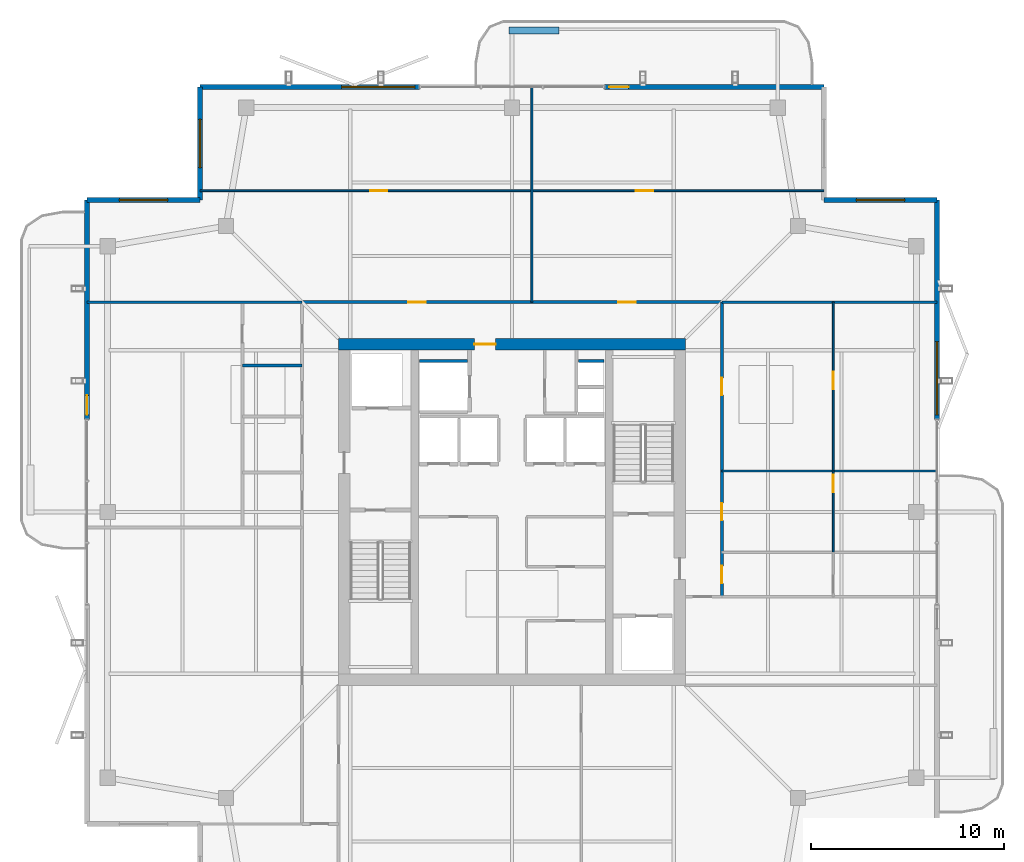
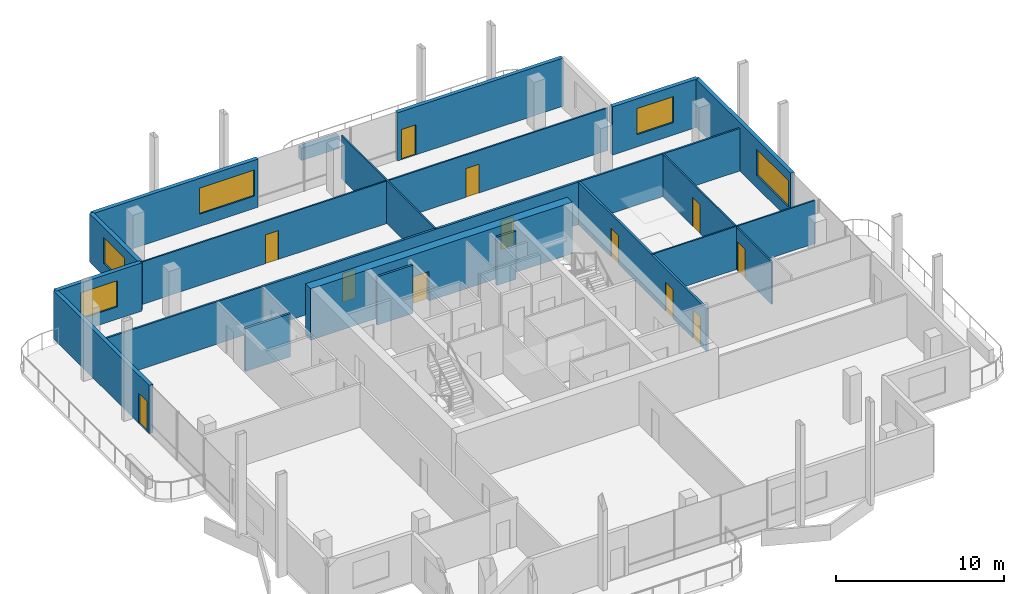
# One storey, part 18 of 22: 22 walls, 12 doors, 5 windows, 17 openings.
"""IFC4 building model written with IfcOpenShell, lengths in metres."""

import ifcopenshell
import ifcopenshell.guid

model = None  # the IFC model being written
_history = None  # IfcOwnerHistory: only IFC2X3 demands one
_inside = {}  # id of a spatial element -> (the spatial element, [elements in it])
_under = {}  # id of a project, library or spatial element -> (it, [spatial elements below it])
_declared = {}  # id of a project -> (the project, [libraries it declares])
_typed = {}  # id of a type object -> (the type object, [elements of that type])
_made_of = {}  # id of a material, layer set ... -> (it, [elements and type objects made of it])


def new_model(schema):
    """Start an empty IFC model of exactly this schema.

    Asked for "IFC4X3", IfcOpenShell would pick the latest addendum, in which some entities
    have other attributes; the version numbers below select the first issue.
    IFC2X3 requires an IfcOwnerHistory on every rooted entity: one is made here for all.
    """
    global model, _history
    if schema == "IFC4X3":
        model = ifcopenshell.file(schema_version=(4, 3, 0, 0))
    else:
        model = ifcopenshell.file(schema=schema)
    _inside.clear()
    _under.clear()
    _declared.clear()
    _typed.clear()
    _made_of.clear()
    _history = None
    if model.schema == "IFC2X3":
        org = make("IfcOrganization", Name="unknown")
        user = make(
            "IfcPersonAndOrganization",
            ThePerson=make("IfcPerson", FamilyName="unknown"),
            TheOrganization=org,
        )
        app = make(
            "IfcApplication",
            ApplicationDeveloper=org,
            Version="unknown",
            ApplicationFullName="unknown",
            ApplicationIdentifier="unknown",
        )
        _history = make(
            "IfcOwnerHistory",
            OwningUser=user,
            OwningApplication=app,
            ChangeAction="ADDED",
            CreationDate=0,
        )
    return model


def make(cls, **values):
    """One entity of the class cls with the attributes given. An attribute that is None is left unset."""
    return model.create_entity(
        cls, **{name: value for name, value in values.items() if value is not None}
    )


def rooted(cls, **values):
    """An entity with a GlobalId (a new one), such as an element, a storey or a relation."""
    return make(cls, GlobalId=ifcopenshell.guid.new(), OwnerHistory=_history, **values)


def si_unit(unit_type, name, prefix=None):
    """IfcSIUnit, for example si_unit("LENGTHUNIT", "METRE", prefix="MILLI")."""
    return make("IfcSIUnit", UnitType=unit_type, Prefix=prefix, Name=name)


def assignment(units):
    """IfcUnitAssignment: the units of a project."""
    return None if units is None else make("IfcUnitAssignment", Units=units)


def point(xyz):
    """IfcCartesianPoint."""
    return None if xyz is None else make("IfcCartesianPoint", Coordinates=xyz)


def direction(xyz):
    """IfcDirection."""
    return None if xyz is None else make("IfcDirection", DirectionRatios=xyz)


def frame(location, z_axis=None, x_axis=None):
    """IfcAxis2Placement3D, a coordinate frame: its origin and axes. An axis left out is left unset."""
    return make(
        "IfcAxis2Placement3D",
        Location=point(location),
        Axis=direction(z_axis),
        RefDirection=direction(x_axis),
    )


def frame_2d(location, x_axis=None):
    """IfcAxis2Placement2D, a coordinate frame in the plane: its origin and x axis."""
    return make(
        "IfcAxis2Placement2D", Location=point(location), RefDirection=direction(x_axis)
    )


def origin():
    """The frame at (0, 0, 0) with its axes left unset."""
    return frame((0.0, 0.0, 0.0))


def place(relative_to, where):
    """IfcLocalPlacement: puts the frame where relative to a parent placement (None: the world)."""
    return make(
        "IfcLocalPlacement", PlacementRelTo=relative_to, RelativePlacement=where
    )


def context(
    kind, dimensions, precision=None, world=None, true_north=None, identifier=None
):
    """IfcGeometricRepresentationContext, for example the 3D "Model" context."""
    return make(
        "IfcGeometricRepresentationContext",
        ContextIdentifier=identifier,
        ContextType=kind,
        CoordinateSpaceDimension=dimensions,
        Precision=precision,
        WorldCoordinateSystem=world,
        TrueNorth=true_north,
    )


def subcontext(parent, identifier, kind, view, scale=None):
    """IfcGeometricRepresentationSubContext, for example "Body" below "Model"."""
    return make(
        "IfcGeometricRepresentationSubContext",
        ContextIdentifier=identifier,
        ContextType=kind,
        ParentContext=parent,
        TargetScale=scale,
        TargetView=view,
    )


def project(units=None, contexts=None):
    """IfcProject with its units and contexts."""
    return rooted(
        "IfcProject",
        Name="project",
        RepresentationContexts=contexts,
        UnitsInContext=assignment(units),
    )


def spatial(cls, under=None, at=None, **own):
    """A site, building, storey or space (cls), placed at a placement, below another one or the project."""
    s = rooted(cls, ObjectPlacement=at, **own)
    if under is not None:
        _under.setdefault(under.id(), (under, []))[1].append(s)
    return s


def profile(cls, at=None, kind="AREA", **sizes):
    """A parametric profile (cls). Its sizes go by their IFC names, for example OverallWidth=200.0."""
    return make(cls, ProfileType=kind, Position=at, **sizes)


def rectangle(**sizes):
    """IfcRectangleProfileDef."""
    return profile("IfcRectangleProfileDef", **sizes)


def extrude(swept, where, along, depth):
    """IfcExtrudedAreaSolid: the profile swept, set in the frame where, extruded along a direction by depth."""
    return make(
        "IfcExtrudedAreaSolid",
        SweptArea=swept,
        Position=where,
        ExtrudedDirection=direction(along),
        Depth=depth,
    )


def shape(context_of_items, identifier, shape_type, items):
    """IfcShapeRepresentation: the items that make up one representation, for example the "Body"."""
    return make(
        "IfcShapeRepresentation",
        ContextOfItems=context_of_items,
        RepresentationIdentifier=identifier,
        RepresentationType=shape_type,
        Items=items,
    )


def material(Name=None, Category=None):
    """IfcMaterial."""
    return make("IfcMaterial", Name=Name, Category=Category)


def layer(
    of_material, thickness, ventilated=None, Name=None, Category=None, Priority=None
):
    """IfcMaterialLayer: one layer of a wall or slab, of a material (None: an air gap)."""
    return make(
        "IfcMaterialLayer",
        Material=of_material,
        LayerThickness=thickness,
        IsVentilated=ventilated,
        Name=Name,
        Category=Category,
        Priority=Priority,
    )


def layer_set(layers, Name=None):
    """IfcMaterialLayerSet."""
    return make("IfcMaterialLayerSet", MaterialLayers=layers, LayerSetName=Name)


def made_of(thing, what):
    """Note that an element or type object is made of a material, layer set ...; save() writes the relation."""
    if what is not None:
        _made_of.setdefault(what.id(), (what, []))[1].append(thing)
    return thing


def type_object(cls, material=None, **own):
    """A type object (cls), such as IfcWallType, which elements share."""
    return made_of(rooted(cls, **own), material)


def element(
    cls,
    number,
    at=None,
    inside=None,
    cuts=None,
    type_object=None,
    material=None,
    context=None,
    identifier="Body",
    shape_type=None,
    held_by="IfcProductDefinitionShape",
    body=None,
    shapes=None,
    **own,
):
    """One element of the class cls, such as IfcWall. Its Tag is "e" and its number.

    at: its placement. inside: the storey or other place that contains it. cuts: it is an
    opening in that element (IfcRelVoidsElement). A single representation is given by context,
    identifier, shape_type and body (its items); several are given by shapes. held_by: the class
    of the entity that holds the representations. save() writes the other relations.
    """
    e = rooted(cls, Tag="e%d" % number, ObjectPlacement=at, **own)
    if body is not None:
        shapes = [shape(context, identifier, shape_type, body)]
    if shapes is not None:
        e.Representation = make(held_by, Representations=shapes)
    if inside is not None:
        _inside.setdefault(inside.id(), (inside, []))[1].append(e)
    if cuts is not None:
        rooted(
            "IfcRelVoidsElement", RelatingBuildingElement=cuts, RelatedOpeningElement=e
        )
    if type_object is not None:
        _typed.setdefault(type_object.id(), (type_object, []))[1].append(e)
    return made_of(e, material)


def fill(opening, filler):
    """IfcRelFillsElement: the door or window that sits in an opening."""
    return rooted(
        "IfcRelFillsElement",
        RelatingOpeningElement=opening,
        RelatedBuildingElement=filler,
    )


def aggregate(whole, parts):
    """IfcRelAggregates: a whole, such as a stair, and the parts it consists of."""
    return rooted("IfcRelAggregates", RelatingObject=whole, RelatedObjects=parts)


def save(model, path):
    """Write the relations noted so far, then the file.

    IfcRelAggregates (storeys below a building ...), IfcRelContainedInSpatialStructure (elements
    in a storey), IfcRelDefinesByType, IfcRelAssociatesMaterial and IfcRelDeclares: one each for
    every whole, place, type object, material and project.
    """
    for whole, parts in _under.values():
        aggregate(whole, parts)
    for where, things in _inside.values():
        rooted(
            "IfcRelContainedInSpatialStructure",
            RelatedElements=things,
            RelatingStructure=where,
        )
    for kind, things in _typed.values():
        rooted("IfcRelDefinesByType", RelatedObjects=things, RelatingType=kind)
    for what, things in _made_of.values():
        rooted("IfcRelAssociatesMaterial", RelatedObjects=things, RelatingMaterial=what)
    for by, libraries in _declared.values():
        rooted("IfcRelDeclares", RelatingContext=by, RelatedDefinitions=libraries)
    model.write(path)


model = new_model("IFC4")

# Units and contexts
model_context = context("Model", 3, precision=1e-05, world=origin(), true_north=direction((0.0, 1.0)))
body_context = subcontext(model_context, "Body", "Model", "MODEL_VIEW")
ifc_project = project(units=[si_unit("LENGTHUNIT", "METRE"), si_unit("AREAUNIT", "SQUARE_METRE"), si_unit("VOLUMEUNIT", "CUBIC_METRE"), si_unit("PLANEANGLEUNIT", "RADIAN"), si_unit("MASSUNIT", "GRAM", prefix="KILO")], contexts=[model_context])

# Site, building, storey
site_placement = place(None, origin())
site = spatial("IfcSite", under=ifc_project, at=site_placement, CompositionType="ELEMENT")
building_placement = place(site_placement, origin())
building = spatial("IfcBuilding", under=site, at=building_placement, Name="Belovzor Exchange Tower", CompositionType="ELEMENT")
storey_placement = place(building_placement, frame((0.0, 0.0, 336.75)))
storey = spatial("IfcBuildingStorey", under=building, at=storey_placement, Name="L84", CompositionType="ELEMENT", Elevation=336.75)

# Walls
ifc_material_1 = material(Name="Acoustic Plasterboard on Galvanised Studs", Category="gypsum")
ifc_layer_1 = layer(ifc_material_1, 0.1201171875)
ifc_layer_set_1 = layer_set([ifc_layer_1], Name="Acoustic Plasterboard on Galvanised Studs")
wall_type_1 = type_object("IfcWallType", Name="Acoustic Double-Stud Partition Wall 120", PredefinedType="PARTITIONING", material=ifc_layer_set_1)
wall_1_placement = place(storey_placement, frame((6.72998046875, 39.699951171875, 0.0), z_axis=(0.0, 0.0, 1.0), x_axis=(1.0, 0.0, 0.0)))
element("IfcWall", 1, at=wall_1_placement, inside=storey, type_object=wall_type_1, Name="W-P120 Partition Wall W-L84-END-NW", PredefinedType="PARTITIONING", context=body_context, shape_type="SweptSolid", body=[
    extrude(rectangle(XDim=11.169921875, YDim=0.1201171875, at=frame_2d((5.5849609375, 0.0))), origin(), (0.0, 0.0, 1.0), 3.094970703125),
])
wall_2_placement = place(storey_placement, frame((39.699951171875, 39.699951171875, 0.0), z_axis=(0.0, 0.0, 1.0), x_axis=(1.0, 0.0, 0.0)))
element("IfcWall", 2, at=wall_2_placement, inside=storey, type_object=wall_type_1, Name="W-P120 Partition Wall W-L84-END-NE", PredefinedType="PARTITIONING", context=body_context, shape_type="SweptSolid", body=[
    extrude(rectangle(XDim=11.170166015625, YDim=0.1201171875, at=frame_2d((5.5849609375, 0.0))), origin(), (0.0, 0.0, 1.0), 3.094970703125),
])

# Wall, opening, door
ifc_material_2 = material(Name="Acoustic Laminated Glass and Aluminium", Category="aluminium")
ifc_layer_2 = layer(ifc_material_2, 0.10009765625)
ifc_layer_set_2 = layer_set([ifc_layer_2], Name="Acoustic Laminated Glass and Aluminium")
wall_type_2 = type_object("IfcWallType", Name="Demountable Executive Glass Partition 100", PredefinedType="MOVABLE", material=ifc_layer_set_2)
wall_3_placement = place(storey_placement, frame((12.60009765625, 45.48388671875, 0.0), z_axis=(0.0, 0.0, 1.0), x_axis=(1.0, 0.0, 0.0)))
wall_3 = element("IfcWall", 3, at=wall_3_placement, inside=storey, type_object=wall_type_2, Name="W-M100 Partition Wall W-L84-NHDIV-0", PredefinedType="MOVABLE", context=body_context, shape_type="SweptSolid", body=[
    extrude(rectangle(XDim=17.23193359375, YDim=0.10009765625, at=frame_2d((8.615966796875, 0.0))), origin(), (0.0, 0.0, 1.0), 3.094970703125),
])
opening_1_placement = place(wall_3_placement, frame((8.830078125, 0.0, 0.0)))
opening_1 = element("IfcOpeningElement", 4, at=opening_1_placement, cuts=wall_3, Name="Opening D-INT-090", PredefinedType="OPENING", context=body_context, shape_type="SweptSolid", body=[
    extrude(rectangle(XDim=0.89990234375, YDim=2.10009765625, at=frame_2d((0.449951171875, 1.050048828125))), frame((0.0, 0.06005859375, 0.0), z_axis=(0.0, -1.0, 0.0), x_axis=(1.0, 0.0, 0.0)), (0.0, 0.0, 1.0), 0.1201171875),
])
ifc_material_3 = material(Name="Veneered Hardwood Acoustic Leaf", Category="wood")
door_type_1 = type_object("IfcDoorType", Name="Trading Suite Acoustic Single Door 900x2100", OperationType="NOTDEFINED", PredefinedType="DOOR", material=ifc_material_3)
door_1_placement = place(opening_1_placement, origin())
door_1 = element("IfcDoor", 5, at=door_1_placement, inside=storey, type_object=door_type_1, Name="D-INT-090 Trading Suite Acoustic Single Door 900x2100", OperationType="SINGLE_SWING_RIGHT", OverallHeight=2.10009765625, OverallWidth=0.89990234375, PredefinedType="DOOR", context=body_context, shape_type="SweptSolid", body=[
    extrude(rectangle(XDim=0.89990234375, YDim=2.10009765625, at=frame_2d((0.449951171875, 1.050048828125))), frame((0.0, 0.02490234375, 0.0), z_axis=(0.0, -1.0, 0.0), x_axis=(1.0, 0.0, 0.0)), (0.0, 0.0, 1.0), 0.050048828125),
])
fill(opening_1, door_1)

# Wall
wall_4_placement = place(storey_placement, frame((29.83203125, 39.699951171875, 0.0), z_axis=(0.0, 0.0, 1.0), x_axis=(0.0, 1.0, 0.0)))
element("IfcWall", 6, at=wall_4_placement, inside=storey, type_object=wall_type_2, Name="W-M100 Partition Wall W-L84-NDIV-1", PredefinedType="MOVABLE", context=body_context, shape_type="SweptSolid", body=[
    extrude(rectangle(XDim=11.170166015625, YDim=0.10009765625, at=frame_2d((5.5849609375, 0.0))), origin(), (0.0, 0.0, 1.0), 3.135009765625),
])

# Wall, opening, door
wall_5_placement = place(storey_placement, frame((29.83203125, 45.48388671875, 0.0), z_axis=(0.0, 0.0, 1.0), x_axis=(1.0, 0.0, 0.0)))
wall_5 = element("IfcWall", 7, at=wall_5_placement, inside=storey, type_object=wall_type_2, Name="W-M100 Partition Wall W-L84-NHDIV-1", PredefinedType="MOVABLE", context=body_context, shape_type="SweptSolid", body=[
    extrude(rectangle(XDim=15.16796875, YDim=0.10009765625, at=frame_2d((7.583984375, 0.0))), origin(), (0.0, 0.0, 1.0), 3.094970703125),
])
opening_2_placement = place(wall_5_placement, frame((5.40087890625, 0.0, 0.0)))
opening_2 = element("IfcOpeningElement", 8, at=opening_2_placement, cuts=wall_5, Name="Opening D-INT-090", PredefinedType="OPENING", context=body_context, shape_type="SweptSolid", body=[
    extrude(rectangle(XDim=0.89990234375, YDim=2.10009765625, at=frame_2d((0.449951171875, 1.050048828125))), frame((0.0, 0.06005859375, 0.0), z_axis=(0.0, -1.0, 0.0), x_axis=(1.0, 0.0, 0.0)), (0.0, 0.0, 1.0), 0.1201171875),
])
door_2_placement = place(opening_2_placement, origin())
door_2 = element("IfcDoor", 9, at=door_2_placement, inside=storey, type_object=door_type_1, Name="D-INT-090 Trading Suite Acoustic Single Door 900x2100", OperationType="SINGLE_SWING_RIGHT", OverallHeight=2.10009765625, OverallWidth=0.89990234375, PredefinedType="DOOR", context=body_context, shape_type="SweptSolid", body=[
    extrude(rectangle(XDim=0.89990234375, YDim=2.10009765625, at=frame_2d((0.449951171875, 1.050048828125))), frame((0.0, 0.02490234375, 0.0), z_axis=(0.0, -1.0, 0.0), x_axis=(1.0, 0.0, 0.0)), (0.0, 0.0, 1.0), 0.050048828125),
])
fill(opening_2, door_2)

wall_6_placement = place(storey_placement, frame((45.48388671875, 26.699951171875, 0.0), z_axis=(0.0, 0.0, 1.0), x_axis=(0.0, 1.0, 0.0)))
wall_6 = element("IfcWall", 10, at=wall_6_placement, inside=storey, type_object=wall_type_2, Name="W-M100 Partition Wall W-L84-EHDIV-1", PredefinedType="MOVABLE", context=body_context, shape_type="SweptSolid", body=[
    extrude(rectangle(XDim=4.23095703125, YDim=0.10009765625, at=frame_2d((2.115478515625, 0.0))), origin(), (0.0, 0.0, 1.0), 3.094970703125),
])
opening_3_placement = place(wall_6_placement, frame((3.131103515625, 0.0, 0.0)))
opening_3 = element("IfcOpeningElement", 11, at=opening_3_placement, cuts=wall_6, Name="Opening D-INT-090", PredefinedType="OPENING", context=body_context, shape_type="SweptSolid", body=[
    extrude(rectangle(XDim=0.89990234375, YDim=2.10009765625, at=frame_2d((0.449951171875, 1.050048828125))), frame((0.0, 0.06005859375, 0.0), z_axis=(0.0, -1.0, 0.0), x_axis=(1.0, 0.0, 0.0)), (0.0, 0.0, 1.0), 0.1201171875),
])
door_3_placement = place(opening_3_placement, origin())
door_3 = element("IfcDoor", 12, at=door_3_placement, inside=storey, type_object=door_type_1, Name="D-INT-090 Trading Suite Acoustic Single Door 900x2100", OperationType="SINGLE_SWING_RIGHT", OverallHeight=2.10009765625, OverallWidth=0.89990234375, PredefinedType="DOOR", context=body_context, shape_type="SweptSolid", body=[
    extrude(rectangle(XDim=0.89990234375, YDim=2.10009765625, at=frame_2d((0.449951171875, 1.050048828125))), frame((0.0, 0.02490234375, 0.0), z_axis=(0.0, -1.0, 0.0), x_axis=(1.0, 0.0, 0.0)), (0.0, 0.0, 1.0), 0.050048828125),
])
fill(opening_3, door_3)

# Wall
wall_7_placement = place(storey_placement, frame((39.699951171875, 30.930908203125, 0.0), z_axis=(0.0, 0.0, 1.0), x_axis=(1.0, 0.0, 0.0)))
element("IfcWall", 13, at=wall_7_placement, inside=storey, type_object=wall_type_2, Name="W-M100 Partition Wall W-L84-EDIV-2", PredefinedType="MOVABLE", context=body_context, shape_type="SweptSolid", body=[
    extrude(rectangle(XDim=11.170166015625, YDim=0.10009765625, at=frame_2d((5.5849609375, 0.0))), origin(), (0.0, 0.0, 1.0), 3.135009765625),
])

# Wall, opening, door
wall_8_placement = place(storey_placement, frame((45.48388671875, 30.930908203125, 0.0), z_axis=(0.0, 0.0, 1.0), x_axis=(0.0, 1.0, 0.0)))
wall_8 = element("IfcWall", 14, at=wall_8_placement, inside=storey, type_object=wall_type_2, Name="W-M100 Partition Wall W-L84-EHDIV-2", PredefinedType="MOVABLE", context=body_context, shape_type="SweptSolid", body=[
    extrude(rectangle(XDim=8.76904296875, YDim=0.10009765625, at=frame_2d((4.384521484375, 0.0))), origin(), (0.0, 0.0, 1.0), 3.094970703125),
])
opening_4_placement = place(wall_8_placement, frame((4.24609375, 0.0, 0.0)))
opening_4 = element("IfcOpeningElement", 15, at=opening_4_placement, cuts=wall_8, Name="Opening D-INT-090", PredefinedType="OPENING", context=body_context, shape_type="SweptSolid", body=[
    extrude(rectangle(XDim=0.89990234375, YDim=2.10009765625, at=frame_2d((0.449951171875, 1.050048828125))), frame((0.0, 0.06005859375, 0.0), z_axis=(0.0, -1.0, 0.0), x_axis=(1.0, 0.0, 0.0)), (0.0, 0.0, 1.0), 0.1201171875),
])
door_4_placement = place(opening_4_placement, origin())
door_4 = element("IfcDoor", 16, at=door_4_placement, inside=storey, type_object=door_type_1, Name="D-INT-090 Trading Suite Acoustic Single Door 900x2100", OperationType="SINGLE_SWING_RIGHT", OverallHeight=2.10009765625, OverallWidth=0.89990234375, PredefinedType="DOOR", context=body_context, shape_type="SweptSolid", body=[
    extrude(rectangle(XDim=0.89990234375, YDim=2.10009765625, at=frame_2d((0.449951171875, 1.050048828125))), frame((0.0, 0.02490234375, 0.0), z_axis=(0.0, -1.0, 0.0), x_axis=(1.0, 0.0, 0.0)), (0.0, 0.0, 1.0), 0.050048828125),
])
fill(opening_4, door_4)

# Wall
ifc_material_4 = material(Name="Fire-Rated Gypsum Block and Mineral Wool", Category="gypsum")
ifc_layer_3 = layer(ifc_material_4, 0.14990234375)
ifc_layer_set_3 = layer_set([ifc_layer_3], Name="Fire-Rated Gypsum Block and Mineral Wool")
wall_type_3 = type_object("IfcWallType", Name="Fire-Rated Gypsum Block Corridor Wall 150", PredefinedType="PARTITIONING", material=ifc_layer_set_3)
wall_9_placement = place(storey_placement, frame((14.800048828125, 36.39990234375, 0.0), z_axis=(0.0, 0.0, 1.0), x_axis=(1.0, 0.0, 0.0)))
element("IfcWall", 17, at=wall_9_placement, inside=storey, type_object=wall_type_3, Name="W-P150 Partition Wall W-L84-WCN", PredefinedType="PARTITIONING", context=body_context, shape_type="SweptSolid", body=[
    extrude(rectangle(XDim=3.099853515625, YDim=0.14990234375, at=frame_2d((1.5498046875, 0.0))), origin(), (0.0, 0.0, 1.0), 3.135009765625),
])

# Wall, openings, doors
wall_10_placement = place(storey_placement, frame((17.89990234375, 39.699951171875, 0.0), z_axis=(0.0, 0.0, 1.0), x_axis=(1.0, 0.0, 0.0)))
wall_10 = element("IfcWall", 18, at=wall_10_placement, inside=storey, type_object=wall_type_3, Name="W-P150 Partition Wall W-L84-CN", PredefinedType="PARTITIONING", context=body_context, shape_type="SweptSolid", body=[
    extrude(rectangle(XDim=21.800048828125, YDim=0.14990234375, at=frame_2d((10.89990234375, 0.0))), origin(), (0.0, 0.0, 1.0), 3.094970703125),
])
opening_5_placement = place(wall_10_placement, frame((5.51611328125, 0.0, 0.0)))
opening_5 = element("IfcOpeningElement", 19, at=opening_5_placement, cuts=wall_10, Name="Opening D-INT-090", PredefinedType="OPENING", context=body_context, shape_type="SweptSolid", body=[
    extrude(rectangle(XDim=0.89990234375, YDim=2.10009765625, at=frame_2d((0.449951171875, 1.050048828125))), frame((0.0, 0.0849609375, 0.0), z_axis=(0.0, -1.0, 0.0), x_axis=(1.0, 0.0, 0.0)), (0.0, 0.0, 1.0), 0.169921875),
])
opening_6_placement = place(wall_10_placement, frame((16.416015625, 0.0, 0.0)))
opening_6 = element("IfcOpeningElement", 20, at=opening_6_placement, cuts=wall_10, Name="Opening D-INT-090", PredefinedType="OPENING", context=body_context, shape_type="SweptSolid", body=[
    extrude(rectangle(XDim=0.89990234375, YDim=2.10009765625, at=frame_2d((0.449951171875, 1.050048828125))), frame((0.0, 0.0849609375, 0.0), z_axis=(0.0, -1.0, 0.0), x_axis=(1.0, 0.0, 0.0)), (0.0, 0.0, 1.0), 0.169921875),
])
door_5_placement = place(opening_5_placement, origin())
door_5 = element("IfcDoor", 21, at=door_5_placement, inside=storey, type_object=door_type_1, Name="D-INT-090 Trading Suite Acoustic Single Door 900x2100", OperationType="SINGLE_SWING_RIGHT", OverallHeight=2.10009765625, OverallWidth=0.89990234375, PredefinedType="DOOR", context=body_context, shape_type="SweptSolid", body=[
    extrude(rectangle(XDim=0.89990234375, YDim=2.10009765625, at=frame_2d((0.449951171875, 1.050048828125))), frame((0.0, 0.02490234375, 0.0), z_axis=(0.0, -1.0, 0.0), x_axis=(1.0, 0.0, 0.0)), (0.0, 0.0, 1.0), 0.050048828125),
])
fill(opening_5, door_5)
door_6_placement = place(opening_6_placement, origin())
door_6 = element("IfcDoor", 22, at=door_6_placement, inside=storey, type_object=door_type_1, Name="D-INT-090 Trading Suite Acoustic Single Door 900x2100", OperationType="SINGLE_SWING_LEFT", OverallHeight=2.10009765625, OverallWidth=0.89990234375, PredefinedType="DOOR", context=body_context, shape_type="SweptSolid", body=[
    extrude(rectangle(XDim=0.89990234375, YDim=2.10009765625, at=frame_2d((0.449951171875, 1.050048828125))), frame((0.0, 0.02490234375, 0.0), z_axis=(0.0, -1.0, 0.0), x_axis=(1.0, 0.0, 0.0)), (0.0, 0.0, 1.0), 0.050048828125),
])
fill(opening_6, door_6)

wall_11_placement = place(storey_placement, frame((39.699951171875, 24.39990234375, 0.0), z_axis=(0.0, 0.0, 1.0), x_axis=(0.0, 1.0, 0.0)))
wall_11 = element("IfcWall", 23, at=wall_11_placement, inside=storey, type_object=wall_type_3, Name="W-P150 Partition Wall W-L84-CE", PredefinedType="PARTITIONING", context=body_context, shape_type="SweptSolid", body=[
    extrude(rectangle(XDim=15.300048828125, YDim=0.14990234375, at=frame_2d((7.64990234375, 0.0))), origin(), (0.0, 0.0, 1.0), 3.094970703125),
])
opening_7_placement = place(wall_11_placement, frame((0.699951171875, 0.0, 0.0)))
opening_7 = element("IfcOpeningElement", 24, at=opening_7_placement, cuts=wall_11, Name="Opening D-INT-090", PredefinedType="OPENING", context=body_context, shape_type="SweptSolid", body=[
    extrude(rectangle(XDim=0.89990234375, YDim=2.10009765625, at=frame_2d((0.449951171875, 1.050048828125))), frame((0.0, 0.0849609375, 0.0), z_axis=(0.0, -1.0, 0.0), x_axis=(1.0, 0.0, 0.0)), (0.0, 0.0, 1.0), 0.169921875),
])
opening_8_placement = place(wall_11_placement, frame((3.966064453125, 0.0, 0.0)))
opening_8 = element("IfcOpeningElement", 25, at=opening_8_placement, cuts=wall_11, Name="Opening D-INT-090", PredefinedType="OPENING", context=body_context, shape_type="SweptSolid", body=[
    extrude(rectangle(XDim=0.89990234375, YDim=2.10009765625, at=frame_2d((0.449951171875, 1.050048828125))), frame((0.0, 0.0849609375, 0.0), z_axis=(0.0, -1.0, 0.0), x_axis=(1.0, 0.0, 0.0)), (0.0, 0.0, 1.0), 0.169921875),
])
opening_9_placement = place(wall_11_placement, frame((10.465087890625, 0.0, 0.0)))
opening_9 = element("IfcOpeningElement", 26, at=opening_9_placement, cuts=wall_11, Name="Opening D-INT-090", PredefinedType="OPENING", context=body_context, shape_type="SweptSolid", body=[
    extrude(rectangle(XDim=0.89990234375, YDim=2.10009765625, at=frame_2d((0.449951171875, 1.050048828125))), frame((0.0, 0.0849609375, 0.0), z_axis=(0.0, -1.0, 0.0), x_axis=(1.0, 0.0, 0.0)), (0.0, 0.0, 1.0), 0.169921875),
])
door_7_placement = place(opening_7_placement, origin())
door_7 = element("IfcDoor", 27, at=door_7_placement, inside=storey, type_object=door_type_1, Name="D-INT-090 Trading Suite Acoustic Single Door 900x2100", OperationType="SINGLE_SWING_RIGHT", OverallHeight=2.10009765625, OverallWidth=0.89990234375, PredefinedType="DOOR", context=body_context, shape_type="SweptSolid", body=[
    extrude(rectangle(XDim=0.89990234375, YDim=2.10009765625, at=frame_2d((0.449951171875, 1.050048828125))), frame((0.0, 0.02490234375, 0.0), z_axis=(0.0, -1.0, 0.0), x_axis=(1.0, 0.0, 0.0)), (0.0, 0.0, 1.0), 0.050048828125),
])
fill(opening_7, door_7)
door_8_placement = place(opening_8_placement, origin())
door_8 = element("IfcDoor", 28, at=door_8_placement, inside=storey, type_object=door_type_1, Name="D-INT-090 Trading Suite Acoustic Single Door 900x2100", OperationType="SINGLE_SWING_LEFT", OverallHeight=2.10009765625, OverallWidth=0.89990234375, PredefinedType="DOOR", context=body_context, shape_type="SweptSolid", body=[
    extrude(rectangle(XDim=0.89990234375, YDim=2.10009765625, at=frame_2d((0.449951171875, 1.050048828125))), frame((0.0, 0.02490234375, 0.0), z_axis=(0.0, -1.0, 0.0), x_axis=(1.0, 0.0, 0.0)), (0.0, 0.0, 1.0), 0.050048828125),
])
fill(opening_8, door_8)
door_9_placement = place(opening_9_placement, origin())
door_9 = element("IfcDoor", 29, at=door_9_placement, inside=storey, type_object=door_type_1, Name="D-INT-090 Trading Suite Acoustic Single Door 900x2100", OperationType="SINGLE_SWING_RIGHT", OverallHeight=2.10009765625, OverallWidth=0.89990234375, PredefinedType="DOOR", context=body_context, shape_type="SweptSolid", body=[
    extrude(rectangle(XDim=0.89990234375, YDim=2.10009765625, at=frame_2d((0.449951171875, 1.050048828125))), frame((0.0, 0.02490234375, 0.0), z_axis=(0.0, -1.0, 0.0), x_axis=(1.0, 0.0, 0.0)), (0.0, 0.0, 1.0), 0.050048828125),
])
fill(opening_9, door_9)

# Wall, opening, window
ifc_material_5 = material(Name="Precast concrete C40/50", Category="concrete")
ifc_layer_4 = layer(ifc_material_5, 0.280029296875)
ifc_layer_set_4 = layer_set([ifc_layer_4], Name="Precast concrete C40/50")
wall_type_4 = type_object("IfcWallType", Name="Precast Concrete Notched Corner Frame Wall 280", PredefinedType="SOLIDWALL", material=ifc_layer_set_4)
wall_12_placement = place(storey_placement, frame((6.72998046875, 45.0, 0.0), z_axis=(0.0, 0.0, 1.0), x_axis=(1.0, 0.0, 0.0)))
wall_12 = element("IfcWall", 30, at=wall_12_placement, inside=storey, type_object=wall_type_4, Name="W-CRN280 Precast Concrete Notched Corner Frame Wall 280 L84", PredefinedType="SOLIDWALL", context=body_context, shape_type="SweptSolid", body=[
    extrude(rectangle(XDim=5.8701171875, YDim=0.280029296875, at=frame_2d((2.93505859375, 0.0))), origin(), (0.0, 0.0, 1.0), 3.510009765625),
])
opening_10_placement = place(wall_12_placement, frame((1.68505859375, 0.0, 0.89990234375)))
opening_10 = element("IfcOpeningElement", 31, at=opening_10_placement, cuts=wall_12, Name="Opening WN-CRN250", PredefinedType="OPENING", context=body_context, shape_type="SweptSolid", body=[
    extrude(rectangle(XDim=2.5, YDim=1.89990234375, at=frame_2d((1.25, 0.949951171875))), frame((0.0, 0.14990234375, 0.0), z_axis=(0.0, -1.0, 0.0), x_axis=(1.0, 0.0, 0.0)), (0.0, 0.0, 1.0), 0.300048828125),
])
ifc_material_6 = material(Name="Thermally Broken Aluminium and Triple Glazing", Category="aluminium")
window_type_1 = type_object("IfcWindowType", Name="Streamline Moderne Corner Wrap Ribbon Window 2500x1900", PartitioningType="SINGLE_PANEL", PredefinedType="WINDOW", material=ifc_material_6)
window_1_placement = place(opening_10_placement, origin())
window_1 = element("IfcWindow", 32, at=window_1_placement, inside=storey, type_object=window_type_1, Name="WN-CRN250 Streamline Moderne Corner Wrap Ribbon Window 2500x1900", OverallHeight=1.89990234375, OverallWidth=2.5, PartitioningType="SINGLE_PANEL", PredefinedType="WINDOW", context=body_context, shape_type="SweptSolid", body=[
    extrude(rectangle(XDim=2.5, YDim=1.89990234375, at=frame_2d((1.25, 0.949951171875))), frame((0.0, 0.030029296875, 0.0), z_axis=(0.0, -1.0, 0.0), x_axis=(1.0, 0.0, 0.0)), (0.0, 0.0, 1.0), 0.06005859375),
])
fill(opening_10, window_1)

wall_13_placement = place(storey_placement, frame((12.60009765625, 45.0, 0.0), z_axis=(0.0, 0.0, 1.0), x_axis=(0.0, 1.0, 0.0)))
wall_13 = element("IfcWall", 33, at=wall_13_placement, inside=storey, type_object=wall_type_4, Name="W-CRN280 Precast Concrete Notched Corner Frame Wall 280 L84", PredefinedType="SOLIDWALL", context=body_context, shape_type="SweptSolid", body=[
    extrude(rectangle(XDim=5.8701171875, YDim=0.280029296875, at=frame_2d((2.93505859375, 0.0))), origin(), (0.0, 0.0, 1.0), 3.510009765625),
])
opening_11_placement = place(wall_13_placement, frame((1.68505859375, 0.0, 0.89990234375)))
opening_11 = element("IfcOpeningElement", 34, at=opening_11_placement, cuts=wall_13, Name="Opening WN-CRN250", PredefinedType="OPENING", context=body_context, shape_type="SweptSolid", body=[
    extrude(rectangle(XDim=2.5, YDim=1.89990234375, at=frame_2d((1.25, 0.949951171875))), frame((0.0, 0.14990234375, 0.0), z_axis=(0.0, -1.0, 0.0), x_axis=(1.0, 0.0, 0.0)), (0.0, 0.0, 1.0), 0.300048828125),
])
window_2_placement = place(opening_11_placement, origin())
window_2 = element("IfcWindow", 35, at=window_2_placement, inside=storey, type_object=window_type_1, Name="WN-CRN250 Streamline Moderne Corner Wrap Ribbon Window 2500x1900", OverallHeight=1.89990234375, OverallWidth=2.5, PartitioningType="SINGLE_PANEL", PredefinedType="WINDOW", context=body_context, shape_type="SweptSolid", body=[
    extrude(rectangle(XDim=2.5, YDim=1.89990234375, at=frame_2d((1.25, 0.949951171875))), frame((0.0, 0.030029296875, 0.0), z_axis=(0.0, -1.0, 0.0), x_axis=(1.0, 0.0, 0.0)), (0.0, 0.0, 1.0), 0.06005859375),
])
fill(opening_11, window_2)

wall_14_placement = place(storey_placement, frame((45.0, 45.0, 0.0), z_axis=(0.0, 0.0, 1.0), x_axis=(1.0, 0.0, 0.0)))
wall_14 = element("IfcWall", 36, at=wall_14_placement, inside=storey, type_object=wall_type_4, Name="W-CRN280 Precast Concrete Notched Corner Frame Wall 280 L84", PredefinedType="SOLIDWALL", context=body_context, shape_type="SweptSolid", body=[
    extrude(rectangle(XDim=5.8701171875, YDim=0.280029296875, at=frame_2d((2.93505859375, 0.0))), origin(), (0.0, 0.0, 1.0), 3.510009765625),
])
opening_12_placement = place(wall_14_placement, frame((1.68505859375, 0.0, 0.89990234375)))
opening_12 = element("IfcOpeningElement", 37, at=opening_12_placement, cuts=wall_14, Name="Opening WN-CRN250", PredefinedType="OPENING", context=body_context, shape_type="SweptSolid", body=[
    extrude(rectangle(XDim=2.5, YDim=1.89990234375, at=frame_2d((1.25, 0.949951171875))), frame((0.0, 0.14990234375, 0.0), z_axis=(0.0, -1.0, 0.0), x_axis=(1.0, 0.0, 0.0)), (0.0, 0.0, 1.0), 0.300048828125),
])
window_3_placement = place(opening_12_placement, origin())
window_3 = element("IfcWindow", 38, at=window_3_placement, inside=storey, type_object=window_type_1, Name="WN-CRN250 Streamline Moderne Corner Wrap Ribbon Window 2500x1900", OverallHeight=1.89990234375, OverallWidth=2.5, PartitioningType="SINGLE_PANEL", PredefinedType="WINDOW", context=body_context, shape_type="SweptSolid", body=[
    extrude(rectangle(XDim=2.5, YDim=1.89990234375, at=frame_2d((1.25, 0.949951171875))), frame((0.0, 0.030029296875, 0.0), z_axis=(0.0, -1.0, 0.0), x_axis=(1.0, 0.0, 0.0)), (0.0, 0.0, 1.0), 0.06005859375),
])
fill(opening_12, window_3)

ifc_material_7 = material(Name="Precast concrete C40/50", Category="concrete")
ifc_layer_5 = layer(ifc_material_7, 0.260009765625)
ifc_layer_set_5 = layer_set([ifc_layer_5], Name="Precast concrete C40/50")
wall_type_5 = type_object("IfcWallType", Name="Precast Concrete Perimeter Loggia Frame Wall 260", PredefinedType="SOLIDWALL", material=ifc_layer_set_5)
wall_15_placement = place(storey_placement, frame((12.60009765625, 50.8701171875, 0.0), z_axis=(0.0, 0.0, 1.0), x_axis=(1.0, 0.0, 0.0)))
wall_15 = element("IfcWall", 39, at=wall_15_placement, inside=storey, type_object=wall_type_5, Name="W-EXT260 Precast Concrete Perimeter Loggia Frame Wall 260 L84", PredefinedType="SOLIDWALL", context=body_context, shape_type="SweptSolid", body=[
    extrude(rectangle(XDim=11.39990234375, YDim=0.260009765625, at=frame_2d((5.699951171875, 0.0))), origin(), (0.0, 0.0, 1.0), 3.510009765625),
])
opening_13_placement = place(wall_15_placement, frame((7.35009765625, 0.0, 0.89990234375)))
opening_13 = element("IfcOpeningElement", 40, at=opening_13_placement, cuts=wall_15, Name="Opening WN-RIB380", PredefinedType="OPENING", context=body_context, shape_type="SweptSolid", body=[
    extrude(rectangle(XDim=3.800048828125, YDim=1.89990234375, at=frame_2d((1.89990234375, 0.949951171875))), frame((0.0, 0.139892578125, 0.0), z_axis=(0.0, -1.0, 0.0), x_axis=(1.0, 0.0, 0.0)), (0.0, 0.0, 1.0), 0.280029296875),
])
ifc_material_8 = material(Name="Thermally Broken Aluminium and Triple Glazing", Category="aluminium")
window_type_2 = type_object("IfcWindowType", Name="Streamline Moderne Horizontal Ribbon Window 3800x1900", PartitioningType="SINGLE_PANEL", PredefinedType="WINDOW", material=ifc_material_8)
window_4_placement = place(opening_13_placement, origin())
window_4 = element("IfcWindow", 41, at=window_4_placement, inside=storey, type_object=window_type_2, Name="WN-RIB380 Streamline Moderne Horizontal Ribbon Window 3800x1900", OverallHeight=1.89990234375, OverallWidth=3.800048828125, PartitioningType="SINGLE_PANEL", PredefinedType="WINDOW", context=body_context, shape_type="SweptSolid", body=[
    extrude(rectangle(XDim=3.800048828125, YDim=1.89990234375, at=frame_2d((1.89990234375, 0.949951171875))), frame((0.0, 0.030029296875, 0.0), z_axis=(0.0, -1.0, 0.0), x_axis=(1.0, 0.0, 0.0)), (0.0, 0.0, 1.0), 0.06005859375),
])
fill(opening_13, window_4)

# Wall, opening, door
wall_16_placement = place(storey_placement, frame((33.60009765625, 50.8701171875, 0.0), z_axis=(0.0, 0.0, 1.0), x_axis=(1.0, 0.0, 0.0)))
wall_16 = element("IfcWall", 42, at=wall_16_placement, inside=storey, type_object=wall_type_5, Name="W-EXT260 Precast Concrete Perimeter Loggia Frame Wall 260 L84", PredefinedType="SOLIDWALL", context=body_context, shape_type="SweptSolid", body=[
    extrude(rectangle(XDim=11.39990234375, YDim=0.260009765625, at=frame_2d((5.699951171875, 0.0))), origin(), (0.0, 0.0, 1.0), 3.510009765625),
])
opening_14_placement = place(wall_16_placement, frame((0.25, 0.0, 0.0)))
opening_14 = element("IfcOpeningElement", 43, at=opening_14_placement, cuts=wall_16, Name="Opening D-BAL100", PredefinedType="OPENING", context=body_context, shape_type="SweptSolid", body=[
    extrude(rectangle(XDim=1.0, YDim=2.199951171875, at=frame_2d((0.5, 1.10009765625))), frame((0.0, 0.139892578125, 0.0), z_axis=(0.0, -1.0, 0.0), x_axis=(1.0, 0.0, 0.0)), (0.0, 0.0, 1.0), 0.280029296875),
])
ifc_material_9 = material(Name="Thermally Broken Anodised Aluminium and Laminated Glass", Category="aluminium")
door_type_2 = type_object("IfcDoorType", Name="Planted Loggia Terrace Glazed Door 1000x2200", OperationType="SINGLE_SWING_LEFT", PredefinedType="DOOR", material=ifc_material_9)
door_10_placement = place(opening_14_placement, origin())
door_10 = element("IfcDoor", 44, at=door_10_placement, inside=storey, type_object=door_type_2, Name="D-BAL100 Balcony Terrace Door L84 N", OperationType="SINGLE_SWING_RIGHT", OverallHeight=2.199951171875, OverallWidth=1.0, PredefinedType="DOOR", context=body_context, shape_type="SweptSolid", body=[
    extrude(rectangle(XDim=1.0, YDim=2.199951171875, at=frame_2d((0.5, 1.10009765625))), frame((0.0, 0.02490234375, 0.0), z_axis=(0.0, -1.0, 0.0), x_axis=(1.0, 0.0, 0.0)), (0.0, 0.0, 1.0), 0.050048828125),
])
fill(opening_14, door_10)

wall_17_placement = place(storey_placement, frame((6.72998046875, 33.60009765625, 0.0), z_axis=(0.0, 0.0, 1.0), x_axis=(0.0, 1.0, 0.0)))
wall_17 = element("IfcWall", 45, at=wall_17_placement, inside=storey, type_object=wall_type_5, Name="W-EXT260 Precast Concrete Perimeter Loggia Frame Wall 260 L84", PredefinedType="SOLIDWALL", context=body_context, shape_type="SweptSolid", body=[
    extrude(rectangle(XDim=11.39990234375, YDim=0.260009765625, at=frame_2d((5.699951171875, 0.0))), origin(), (0.0, 0.0, 1.0), 3.510009765625),
])
opening_15_placement = place(wall_17_placement, frame((0.25, 0.0, 0.0)))
opening_15 = element("IfcOpeningElement", 46, at=opening_15_placement, cuts=wall_17, Name="Opening D-BAL100", PredefinedType="OPENING", context=body_context, shape_type="SweptSolid", body=[
    extrude(rectangle(XDim=1.0, YDim=2.199951171875, at=frame_2d((0.5, 1.10009765625))), frame((0.0, 0.139892578125, 0.0), z_axis=(0.0, -1.0, 0.0), x_axis=(1.0, 0.0, 0.0)), (0.0, 0.0, 1.0), 0.280029296875),
])
door_11_placement = place(opening_15_placement, origin())
door_11 = element("IfcDoor", 47, at=door_11_placement, inside=storey, type_object=door_type_2, Name="D-BAL100 Balcony Terrace Door L84 W", OperationType="SINGLE_SWING_RIGHT", OverallHeight=2.199951171875, OverallWidth=1.0, PredefinedType="DOOR", context=body_context, shape_type="SweptSolid", body=[
    extrude(rectangle(XDim=1.0, YDim=2.199951171875, at=frame_2d((0.5, 1.10009765625))), frame((0.0, 0.02490234375, 0.0), z_axis=(0.0, -1.0, 0.0), x_axis=(1.0, 0.0, 0.0)), (0.0, 0.0, 1.0), 0.050048828125),
])
fill(opening_15, door_11)

# Wall, opening, window
wall_18_placement = place(storey_placement, frame((50.8701171875, 45.0, 0.0), z_axis=(0.0, 0.0, 1.0), x_axis=(0.0, -1.0, 0.0)))
wall_18 = element("IfcWall", 48, at=wall_18_placement, inside=storey, type_object=wall_type_5, Name="W-EXT260 Precast Concrete Perimeter Loggia Frame Wall 260 L84", PredefinedType="SOLIDWALL", context=body_context, shape_type="SweptSolid", body=[
    extrude(rectangle(XDim=11.39990234375, YDim=0.260009765625, at=frame_2d((5.699951171875, 0.0))), origin(), (0.0, 0.0, 1.0), 3.510009765625),
])
opening_16_placement = place(wall_18_placement, frame((7.35009765625, 0.0, 0.89990234375)))
opening_16 = element("IfcOpeningElement", 49, at=opening_16_placement, cuts=wall_18, Name="Opening WN-RIB380", PredefinedType="OPENING", context=body_context, shape_type="SweptSolid", body=[
    extrude(rectangle(XDim=3.800048828125, YDim=1.89990234375, at=frame_2d((1.89990234375, 0.949951171875))), frame((0.0, 0.139892578125, 0.0), z_axis=(0.0, -1.0, 0.0), x_axis=(1.0, 0.0, 0.0)), (0.0, 0.0, 1.0), 0.280029296875),
])
window_5_placement = place(opening_16_placement, origin())
window_5 = element("IfcWindow", 50, at=window_5_placement, inside=storey, type_object=window_type_2, Name="WN-RIB380 Streamline Moderne Horizontal Ribbon Window 3800x1900", OverallHeight=1.89990234375, OverallWidth=3.800048828125, PartitioningType="SINGLE_PANEL", PredefinedType="WINDOW", context=body_context, shape_type="SweptSolid", body=[
    extrude(rectangle(XDim=3.800048828125, YDim=1.89990234375, at=frame_2d((1.89990234375, 0.949951171875))), frame((0.0, 0.030029296875, 0.0), z_axis=(0.0, -1.0, 0.0), x_axis=(1.0, 0.0, 0.0)), (0.0, 0.0, 1.0), 0.06005859375),
])
fill(opening_16, window_5)

# Walls
ifc_material_10 = material(Name="Precast concrete C40/50", Category="concrete")
ifc_layer_6 = layer(ifc_material_10, 0.35009765625)
ifc_layer_set_6 = layer_set([ifc_layer_6], Name="Precast concrete C40/50")
wall_type_6 = type_object("IfcWallType", Name="Precast Concrete Structural Tree Planter Trough 350", PredefinedType="PARAPET", material=ifc_layer_set_6)
wall_19_placement = place(storey_placement, frame((28.64990234375, 53.800048828125, 0.0), z_axis=(0.0, 0.0, 1.0), x_axis=(1.0, 0.0, 0.0)))
element("IfcWall", 51, at=wall_19_placement, inside=storey, type_object=wall_type_6, Name="PT-350 Precast Concrete Structural Tree Planter Trough 350 L84", PredefinedType="PARAPET", context=body_context, shape_type="SweptSolid", body=[
    extrude(rectangle(XDim=2.60009765625, YDim=0.35009765625, at=frame_2d((1.300048828125, 0.0))), origin(), (0.0, 0.0, 1.0), 0.89990234375),
])
ifc_material_11 = material(Name="Concrete C50/60", Category="concrete")
ifc_layer_7 = layer(ifc_material_11, 0.14990234375)
ifc_layer_set_7 = layer_set([ifc_layer_7], Name="Concrete C50/60")
wall_type_7 = type_object("IfcWallType", Name="Reinforced Concrete Core Riser Shear Wall 150", PredefinedType="SHEAR", material=ifc_layer_set_7)
wall_20_placement = place(storey_placement, frame((24.0, 36.64990234375, 0.0), z_axis=(0.0, 0.0, 1.0), x_axis=(1.0, 0.0, 0.0)))
element("IfcWall", 52, at=wall_20_placement, inside=storey, type_object=wall_type_7, Name="W-C150S Core Shaft Wall W-SH-L84-SL-01N", PredefinedType="SHEAR", context=body_context, shape_type="SweptSolid", body=[
    extrude(rectangle(XDim=2.47998046875, YDim=0.14990234375, at=frame_2d((1.239990234375, 0.0))), origin(), (0.0, 0.0, 1.0), 3.510009765625),
])
wall_21_placement = place(storey_placement, frame((32.25, 36.64990234375, 0.0), z_axis=(0.0, 0.0, 1.0), x_axis=(1.0, 0.0, 0.0)))
element("IfcWall", 53, at=wall_21_placement, inside=storey, type_object=wall_type_7, Name="W-C150S Core Shaft Wall W-RSR-L84-N", PredefinedType="SHEAR", context=body_context, shape_type="SweptSolid", body=[
    extrude(rectangle(XDim=1.330078125, YDim=0.14990234375, at=frame_2d((0.6650390625, 0.0))), origin(), (0.0, 0.0, 1.0), 3.510009765625),
])

# Wall, opening, door
ifc_material_12 = material(Name="Concrete C50/60", Category="concrete")
ifc_layer_8 = layer(ifc_material_12, 0.60009765625)
ifc_layer_set_8 = layer_set([ifc_layer_8], Name="Concrete C50/60")
wall_type_8 = type_object("IfcWallType", Name="Reinforced Concrete Core Shear Wall 600", PredefinedType="SHEAR", material=ifc_layer_set_8)
wall_22_placement = place(storey_placement, frame((19.800048828125, 37.5, 0.0), z_axis=(0.0, 0.0, 1.0), x_axis=(1.0, 0.0, 0.0)))
wall_22 = element("IfcWall", 54, at=wall_22_placement, inside=storey, type_object=wall_type_8, Name="CW-S060 Core Shear Wall L84 N", PredefinedType="SHEAR", context=body_context, shape_type="SweptSolid", body=[
    extrude(rectangle(XDim=18.0, YDim=0.60009765625, at=frame_2d((9.0, 0.0))), origin(), (0.0, 0.0, 1.0), 3.75),
])
opening_17_placement = place(wall_22_placement, frame((7.050048828125, 0.0, 0.0)))
opening_17 = element("IfcOpeningElement", 55, at=opening_17_placement, cuts=wall_22, Name="Opening D-FD90-110", PredefinedType="OPENING", context=body_context, shape_type="SweptSolid", body=[
    extrude(rectangle(XDim=1.10009765625, YDim=2.14990234375, at=frame_2d((0.550048828125, 1.074951171875))), frame((0.0, 0.31005859375, 0.0), z_axis=(0.0, -1.0, 0.0), x_axis=(1.0, 0.0, 0.0)), (0.0, 0.0, 1.0), 0.6201171875),
])
ifc_material_13 = material(Name="Fire-Rated Galvanised Steel Leaf", Category="steel")
door_type_3 = type_object("IfcDoorType", Name="Protected Escape Vestibule Fire Door 1100x2150", OperationType="NOTDEFINED", PredefinedType="DOOR", material=ifc_material_13)
door_12_placement = place(opening_17_placement, origin())
door_12 = element("IfcDoor", 56, at=door_12_placement, inside=storey, type_object=door_type_3, Name="D-FD90-110 Protected Escape Vestibule Fire Door 1100x2150", OperationType="SINGLE_SWING_LEFT", OverallHeight=2.14990234375, OverallWidth=1.10009765625, PredefinedType="DOOR", context=body_context, shape_type="SweptSolid", body=[
    extrude(rectangle(XDim=1.10009765625, YDim=2.14990234375, at=frame_2d((0.550048828125, 1.074951171875))), frame((0.0, 0.02490234375, 0.0), z_axis=(0.0, -1.0, 0.0), x_axis=(1.0, 0.0, 0.0)), (0.0, 0.0, 1.0), 0.050048828125),
])
fill(opening_17, door_12)

save(model, "model.ifc")
